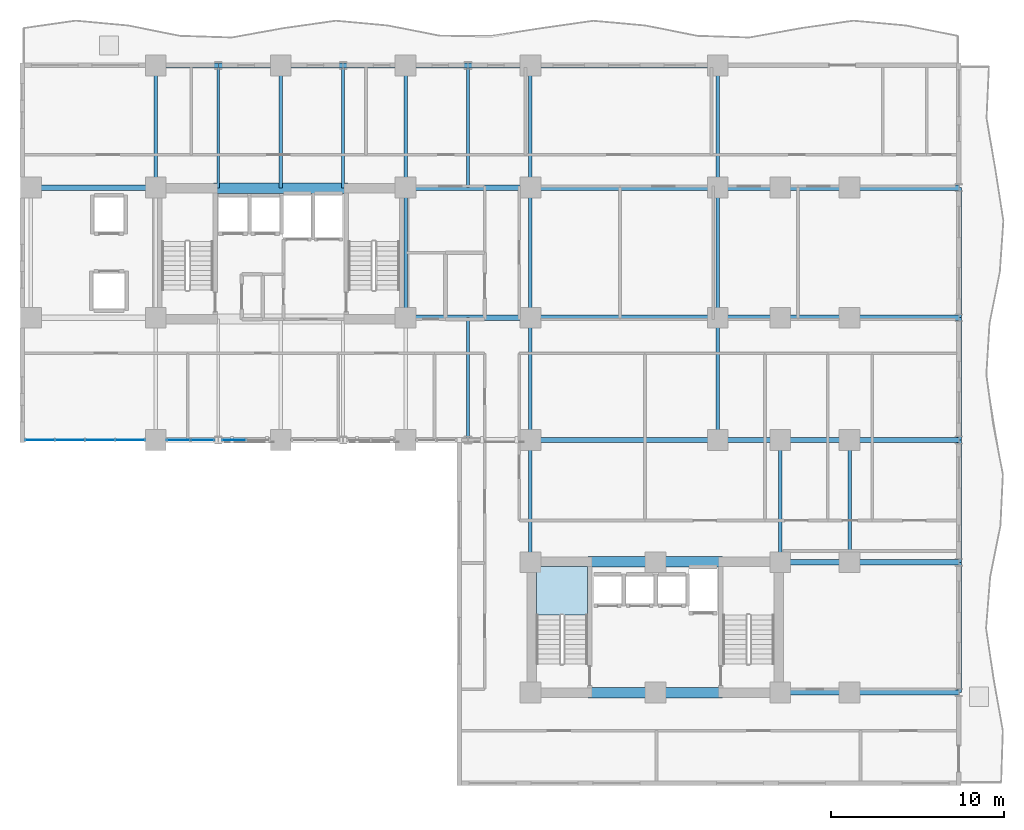
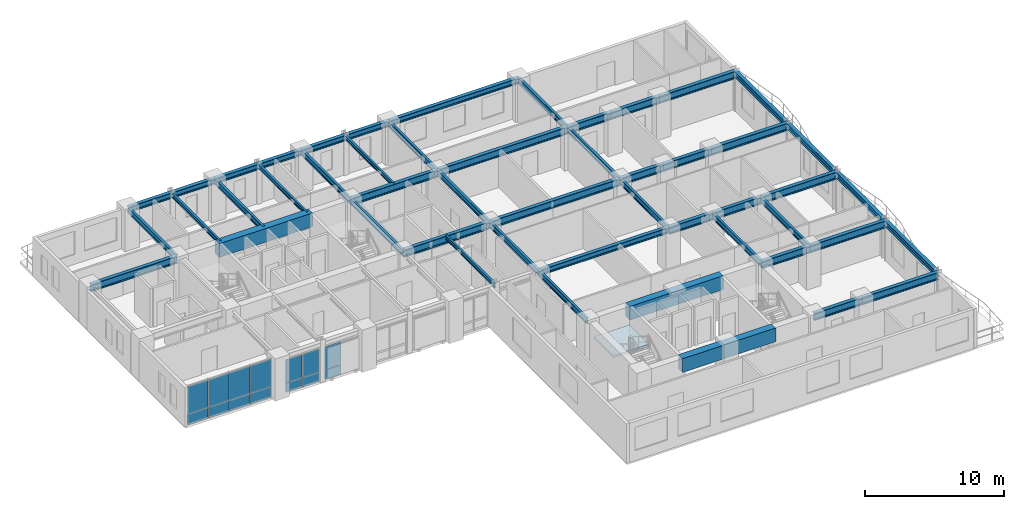
# One storey, part 6 of 16: 50 beams, 14 plates, 1 slab, 4 elements without a shape of their own.
"""IFC4 building model written with IfcOpenShell, lengths in metres."""

from ifc_helpers import new_model, si_unit, direction, frame, origin, origin_2d, place, context, subcontext, project, spatial, polyline, rectangle, i_section, outline, extrude, source, transform, mapped, material, layer, layer_set, material_profile, profile_set, type_object, element, aggregate, save


model = new_model("IFC4")

# Units and contexts
model_context = context("Model", 3, precision=1e-05, world=origin(), true_north=direction((0.0, 1.0)))
body_context = subcontext(model_context, "Body", "Model", "MODEL_VIEW")
ifc_project = project(units=[si_unit("LENGTHUNIT", "METRE"), si_unit("AREAUNIT", "SQUARE_METRE"), si_unit("VOLUMEUNIT", "CUBIC_METRE"), si_unit("PLANEANGLEUNIT", "RADIAN"), si_unit("MASSUNIT", "GRAM", prefix="KILO")], contexts=[model_context])

# Site, building, storey
site_placement = place(None, origin())
site = spatial("IfcSite", under=ifc_project, at=site_placement, CompositionType="ELEMENT")
building_placement = place(site_placement, origin())
building = spatial("IfcBuilding", under=site, at=building_placement, Name="Kaliganga Portal Commons", CompositionType="ELEMENT")
storey_placement = place(building_placement, frame((0.0, 0.0, 82.300048828125)))
storey = spatial("IfcBuildingStorey", under=building, at=storey_placement, Name="L20", CompositionType="ELEMENT", Elevation=82.300048828125)

# Beams
ifc_material_1 = material(Name="Concrete C60/75", Category="concrete")
ifc_material_profile_1 = material_profile(ifc_material_1, rectangle(XDim=0.60009765625, YDim=1.199951171875, at=origin_2d()), Name="RC 600x1200")
ifc_profile_set_1 = profile_set([ifc_material_profile_1], Name="Concrete C60/75")
beam_type_1 = type_object("IfcBeamType", Name="BM-CPL-1200", PredefinedType="LINTEL", material=ifc_profile_set_1)
shared_shape_1 = source(origin(), body_context, "Body", "SweptSolid", [
    extrude(rectangle(XDim=0.60009765625, YDim=1.199951171875, at=origin_2d()), origin(), (0.0, 0.0, 1.0), 7.739990234375),
])
for number, where, z_axis, x_axis, name in (
    (1, (17.72998046875, 36.125, 2.849853515625), (1.0, 0.0, 0.0), (0.0, 1.0, 0.0), "BM CPL COREA L20 N"),
    (2, (39.330078125, 7.02490234375, 2.849853515625), (1.0, 0.0, 0.0), (0.0, 1.0, 0.0), "BM CPL COREB L20 S"),
    (3, (39.330078125, 14.574951171875, 2.849853515625), (1.0, 0.0, 0.0), (0.0, 1.0, 0.0), "BM CPL COREB L20 N"),
):
    element("IfcBeam", number, at=place(storey_placement, frame(where, z_axis=z_axis, x_axis=x_axis)), inside=storey, type_object=beam_type_1, Name=name, PredefinedType="LINTEL", context=body_context, shape_type="MappedRepresentation", body=[
        mapped(shared_shape_1, transform((0.0, 0.0, 0.0), x_axis=(1.0, 0.0, 0.0), y_axis=(0.0, 1.0, 0.0), z_axis=(0.0, 0.0, 1.0), scale=1.0)),
    ])
ifc_material_2 = material(Name="Structural steel S355J2", Category="steel")
ifc_material_profile_2 = material_profile(ifc_material_2, i_section(OverallWidth=0.300048828125, OverallDepth=0.5, WebThickness=0.014404296875, FlangeThickness=0.028076171875, FilletRadius=0.027099609375, at=origin_2d()), Name="HE 500 B")
ifc_profile_set_2 = profile_set([ifc_material_profile_2], Name="Structural steel S355J2 wide-flange")
beam_type_2 = type_object("IfcBeamType", Name="BM-SPAND-500", PredefinedType="SPANDREL", material=ifc_profile_set_2)
shared_shape_2 = source(origin(), body_context, "Body", "SweptSolid", [
    extrude(i_section(OverallWidth=0.300048828125, OverallDepth=0.5, WebThickness=0.014404296875, FlangeThickness=0.028076171875, FilletRadius=0.027099609375, at=origin_2d()), origin(), (0.0, 0.0, 1.0), 10.800048828125),
])
for number, where, z_axis, x_axis, name in (
    (4, (36.0, 43.199951171875, 3.199951171875), (1.0, 0.0, 0.0), (0.0, 1.0, 0.0), "BM SP L20 AN 7"),
    (5, (36.0, 21.60009765625, 3.199951171875), (1.0, 0.0, 0.0), (0.0, 1.0, 0.0), "BM SP L20 AS 7"),
):
    element("IfcBeam", number, at=place(storey_placement, frame(where, z_axis=z_axis, x_axis=x_axis)), inside=storey, type_object=beam_type_2, Name=name, PredefinedType="SPANDREL", context=body_context, shape_type="MappedRepresentation", body=[
        mapped(shared_shape_2, transform((0.0, 0.0, 0.0), x_axis=(1.0, 0.0, 0.0), y_axis=(0.0, 1.0, 0.0), z_axis=(0.0, 0.0, 1.0), scale=1.0)),
    ])
shared_shape_3 = source(origin(), body_context, "Body", "SweptSolid", [
    extrude(i_section(OverallWidth=0.300048828125, OverallDepth=0.5, WebThickness=0.014404296875, FlangeThickness=0.028076171875, FilletRadius=0.027099609375, at=origin_2d()), origin(), (0.0, 0.0, 1.0), 7.5),
])
for number, where, z_axis, x_axis, name in (
    (6, (60.699951171875, 7.050048828125, 3.199951171875), (0.0, 1.0, 0.0), (-1.0, 0.0, 0.0), "BM SP L20 BE 1"),
    (7, (60.699951171875, 28.64990234375, 3.199951171875), (0.0, 1.0, 0.0), (-1.0, 0.0, 0.0), "BM SP L20 BE 4"),
):
    element("IfcBeam", number, at=place(storey_placement, frame(where, z_axis=z_axis, x_axis=x_axis)), inside=storey, type_object=beam_type_2, Name=name, PredefinedType="SPANDREL", context=body_context, shape_type="MappedRepresentation", body=[
        mapped(shared_shape_3, transform((0.0, 0.0, 0.0), x_axis=(1.0, 0.0, 0.0), y_axis=(0.0, 1.0, 0.0), z_axis=(0.0, 0.0, 1.0), scale=1.0)),
    ])
shared_shape_4 = source(origin(), body_context, "Body", "SweptSolid", [
    extrude(i_section(OverallWidth=0.300048828125, OverallDepth=0.5, WebThickness=0.014404296875, FlangeThickness=0.028076171875, FilletRadius=0.027099609375, at=origin_2d()), origin(), (0.0, 0.0, 1.0), 7.050048828125),
])
beam_1_placement = place(storey_placement, frame((60.699951171875, 14.550048828125, 3.199951171875), z_axis=(0.0, 1.0, 0.0), x_axis=(-1.0, 0.0, 0.0)))
element("IfcBeam", 8, at=beam_1_placement, inside=storey, type_object=beam_type_2, Name="BM SP L20 BE 2", PredefinedType="SPANDREL", context=body_context, shape_type="MappedRepresentation", body=[
    mapped(shared_shape_4, transform((0.0, 0.0, 0.0), x_axis=(1.0, 0.0, 0.0), y_axis=(0.0, 1.0, 0.0), z_axis=(0.0, 0.0, 1.0), scale=1.0)),
])
shared_shape_5 = source(origin(), body_context, "Body", "SweptSolid", [
    extrude(i_section(OverallWidth=0.300048828125, OverallDepth=0.5, WebThickness=0.014404296875, FlangeThickness=0.028076171875, FilletRadius=0.027099609375, at=origin_2d()), origin(), (0.0, 0.0, 1.0), 7.0498046875),
])
beam_2_placement = place(storey_placement, frame((60.699951171875, 21.60009765625, 3.199951171875), z_axis=(0.0, 1.0, 0.0), x_axis=(-1.0, 0.0, 0.0)))
element("IfcBeam", 9, at=beam_2_placement, inside=storey, type_object=beam_type_2, Name="BM SP L20 BE 3", PredefinedType="SPANDREL", context=body_context, shape_type="MappedRepresentation", body=[
    mapped(shared_shape_5, transform((0.0, 0.0, 0.0), x_axis=(1.0, 0.0, 0.0), y_axis=(0.0, 1.0, 0.0), z_axis=(0.0, 0.0, 1.0), scale=1.0)),
])
shared_shape_6 = source(origin(), body_context, "Body", "SweptSolid", [
    extrude(i_section(OverallWidth=0.300048828125, OverallDepth=0.5, WebThickness=0.014404296875, FlangeThickness=0.028076171875, FilletRadius=0.027099609375, at=origin_2d()), origin(), (0.0, 0.0, 1.0), 3.60009765625),
])
for number, where, z_axis, x_axis, name in (
    (10, (14.39990234375, 43.199951171875, 3.199951171875), (1.0, 0.0, 0.0), (0.0, 1.0, 0.0), "BM SP L20 AN 1"),
    (11, (18.0, 43.199951171875, 3.199951171875), (1.0, 0.0, 0.0), (0.0, 1.0, 0.0), "BM SP L20 AN 2"),
    (12, (25.199951171875, 43.199951171875, 3.199951171875), (1.0, 0.0, 0.0), (0.0, 1.0, 0.0), "BM SP L20 AN 4"),
    (13, (32.39990234375, 43.199951171875, 3.199951171875), (1.0, 0.0, 0.0), (0.0, 1.0, 0.0), "BM SP L20 AN 6"),
):
    element("IfcBeam", number, at=place(storey_placement, frame(where, z_axis=z_axis, x_axis=x_axis)), inside=storey, type_object=beam_type_2, Name=name, PredefinedType="SPANDREL", context=body_context, shape_type="MappedRepresentation", body=[
        mapped(shared_shape_6, transform((0.0, 0.0, 0.0), x_axis=(1.0, 0.0, 0.0), y_axis=(0.0, 1.0, 0.0), z_axis=(0.0, 0.0, 1.0), scale=1.0)),
    ])
shared_shape_7 = source(origin(), body_context, "Body", "SweptSolid", [
    extrude(i_section(OverallWidth=0.300048828125, OverallDepth=0.5, WebThickness=0.014404296875, FlangeThickness=0.028076171875, FilletRadius=0.027099609375, at=origin_2d()), origin(), (0.0, 0.0, 1.0), 3.599853515625),
])
for number, where, z_axis, x_axis, name in (
    (14, (21.60009765625, 43.199951171875, 3.199951171875), (1.0, 0.0, 0.0), (0.0, 1.0, 0.0), "BM SP L20 AN 3"),
    (15, (28.800048828125, 43.199951171875, 3.199951171875), (1.0, 0.0, 0.0), (0.0, 1.0, 0.0), "BM SP L20 AN 5"),
):
    element("IfcBeam", number, at=place(storey_placement, frame(where, z_axis=z_axis, x_axis=x_axis)), inside=storey, type_object=beam_type_2, Name=name, PredefinedType="SPANDREL", context=body_context, shape_type="MappedRepresentation", body=[
        mapped(shared_shape_7, transform((0.0, 0.0, 0.0), x_axis=(1.0, 0.0, 0.0), y_axis=(0.0, 1.0, 0.0), z_axis=(0.0, 0.0, 1.0), scale=1.0)),
    ])
ifc_material_profile_3 = material_profile(ifc_material_2, i_section(OverallWidth=0.300048828125, OverallDepth=0.64990234375, WebThickness=0.01611328125, FlangeThickness=0.031005859375, FilletRadius=0.027099609375, at=origin_2d()), Name="HE 650 B")
ifc_profile_set_3 = profile_set([ifc_material_profile_3], Name="Structural steel S355J2 wide-flange")
beam_type_3 = type_object("IfcBeamType", Name="BM-GIRD-650", PredefinedType="USERDEFINED", material=ifc_profile_set_3)
shared_shape_8 = source(origin(), body_context, "Body", "SweptSolid", [
    extrude(i_section(OverallWidth=0.300048828125, OverallDepth=0.64990234375, WebThickness=0.01611328125, FlangeThickness=0.031005859375, FilletRadius=0.027099609375, at=origin_2d()), origin(), (0.0, 0.0, 1.0), 3.599853515625),
])
for number, where, z_axis, x_axis, name in (
    (16, (46.800048828125, 21.60009765625, 3.125), (1.0, 0.0, 0.0), (0.0, 1.0, 0.0), "BM G L20 BKE216 1"),
    (17, (46.800048828125, 28.64990234375, 3.125), (1.0, 0.0, 0.0), (0.0, 1.0, 0.0), "BM G L20 BKE286 1"),
    (18, (46.800048828125, 36.14990234375, 3.125), (1.0, 0.0, 0.0), (0.0, 1.0, 0.0), "BM G L20 BKE362 1"),
):
    element("IfcBeam", number, at=place(storey_placement, frame(where, z_axis=z_axis, x_axis=x_axis)), inside=storey, type_object=beam_type_3, Name=name, ObjectType="GIRDER", PredefinedType="USERDEFINED", context=body_context, shape_type="MappedRepresentation", body=[
        mapped(shared_shape_8, transform((0.0, 0.0, 0.0), x_axis=(1.0, 0.0, 0.0), y_axis=(0.0, 1.0, 0.0), z_axis=(0.0, 0.0, 1.0), scale=1.0)),
    ])
shared_shape_9 = source(origin(), body_context, "Body", "SweptSolid", [
    extrude(i_section(OverallWidth=0.300048828125, OverallDepth=0.64990234375, WebThickness=0.01611328125, FlangeThickness=0.031005859375, FilletRadius=0.027099609375, at=origin_2d()), origin(), (0.0, 0.0, 1.0), 7.199951171875),
])
for number, where, z_axis, x_axis, name in (
    (19, (7.199951171875, 36.14990234375, 3.125), (1.0, 0.0, 0.0), (0.0, 1.0, 0.0), "BM G L20 WAH_N 1"),
    (20, (28.800048828125, 28.64990234375, 3.125), (1.0, 0.0, 0.0), (0.0, 1.0, 0.0), "BM G L20 WAE_S 1"),
    (21, (28.800048828125, 36.14990234375, 3.125), (1.0, 0.0, 0.0), (0.0, 1.0, 0.0), "BM G L20 WAE_N 1"),
):
    element("IfcBeam", number, at=place(storey_placement, frame(where, z_axis=z_axis, x_axis=x_axis)), inside=storey, type_object=beam_type_3, Name=name, ObjectType="GIRDER", PredefinedType="USERDEFINED", context=body_context, shape_type="MappedRepresentation", body=[
        mapped(shared_shape_9, transform((0.0, 0.0, 0.0), x_axis=(1.0, 0.0, 0.0), y_axis=(0.0, 1.0, 0.0), z_axis=(0.0, 0.0, 1.0), scale=1.0)),
    ])
shared_shape_10 = source(origin(), body_context, "Body", "SweptSolid", [
    extrude(i_section(OverallWidth=0.300048828125, OverallDepth=0.64990234375, WebThickness=0.01611328125, FlangeThickness=0.031005859375, FilletRadius=0.027099609375, at=origin_2d()), origin(), (0.0, 0.0, 1.0), 10.800048828125),
])
for number, where, z_axis, x_axis, name in (
    (22, (36.0, 28.64990234375, 3.125), (1.0, 0.0, 0.0), (0.0, 1.0, 0.0), "BM G L20 WAE_S 2"),
    (23, (36.0, 36.14990234375, 3.125), (1.0, 0.0, 0.0), (0.0, 1.0, 0.0), "BM G L20 WAE_N 2"),
):
    element("IfcBeam", number, at=place(storey_placement, frame(where, z_axis=z_axis, x_axis=x_axis)), inside=storey, type_object=beam_type_3, Name=name, ObjectType="GIRDER", PredefinedType="USERDEFINED", context=body_context, shape_type="MappedRepresentation", body=[
        mapped(shared_shape_10, transform((0.0, 0.0, 0.0), x_axis=(1.0, 0.0, 0.0), y_axis=(0.0, 1.0, 0.0), z_axis=(0.0, 0.0, 1.0), scale=1.0)),
    ])
ifc_material_profile_4 = material_profile(ifc_material_2, i_section(OverallWidth=0.169921875, OverallDepth=0.360107421875, WebThickness=0.008056640625, FlangeThickness=0.0126953125, FilletRadius=0.01806640625, at=origin_2d()), Name="IPE 360")
ifc_profile_set_4 = profile_set([ifc_material_profile_4], Name="Structural steel S355J2 wide-flange")
beam_type_4 = type_object("IfcBeamType", Name="BM-JST-360", PredefinedType="JOIST", material=ifc_profile_set_4)
shared_shape_11 = source(origin(), body_context, "Body", "SweptSolid", [
    extrude(i_section(OverallWidth=0.169921875, OverallDepth=0.360107421875, WebThickness=0.008056640625, FlangeThickness=0.0126953125, FilletRadius=0.01806640625, at=origin_2d()), origin(), (0.0, 0.0, 1.0), 7.074951171875),
])
for number, where, z_axis, x_axis, name in (
    (24, (18.0, 36.125, 3.27001953125), (0.0, 1.0, 0.0), (-1.0, 0.0, 0.0), "BM G L20 AN180"),
    (25, (25.199951171875, 36.125, 3.27001953125), (0.0, 1.0, 0.0), (-1.0, 0.0, 0.0), "BM G L20 AN252"),
):
    element("IfcBeam", number, at=place(storey_placement, frame(where, z_axis=z_axis, x_axis=x_axis)), inside=storey, type_object=beam_type_4, Name=name, PredefinedType="JOIST", context=body_context, shape_type="MappedRepresentation", body=[
        mapped(shared_shape_11, transform((0.0, 0.0, 0.0), x_axis=(1.0, 0.0, 0.0), y_axis=(0.0, 1.0, 0.0), z_axis=(0.0, 0.0, 1.0), scale=1.0)),
    ])
shared_shape_12 = source(origin(), body_context, "Body", "SweptSolid", [
    extrude(i_section(OverallWidth=0.169921875, OverallDepth=0.360107421875, WebThickness=0.008056640625, FlangeThickness=0.0126953125, FilletRadius=0.01806640625, at=origin_2d()), origin(), (0.0, 0.0, 1.0), 7.050048828125),
])
beam_3_placement = place(storey_placement, frame((32.39990234375, 36.14990234375, 3.27001953125), z_axis=(0.0, 1.0, 0.0), x_axis=(-1.0, 0.0, 0.0)))
element("IfcBeam", 26, at=beam_3_placement, inside=storey, type_object=beam_type_4, Name="BM G L20 AN324", PredefinedType="JOIST", context=body_context, shape_type="MappedRepresentation", body=[
    mapped(shared_shape_12, transform((0.0, 0.0, 0.0), x_axis=(1.0, 0.0, 0.0), y_axis=(0.0, 1.0, 0.0), z_axis=(0.0, 0.0, 1.0), scale=1.0)),
])
shared_shape_13 = source(origin(), body_context, "Body", "SweptSolid", [
    extrude(i_section(OverallWidth=0.169921875, OverallDepth=0.360107421875, WebThickness=0.008056640625, FlangeThickness=0.0126953125, FilletRadius=0.01806640625, at=origin_2d()), origin(), (0.0, 0.0, 1.0), 7.0498046875),
])
beam_4_placement = place(storey_placement, frame((32.39990234375, 21.60009765625, 3.27001953125), z_axis=(0.0, 1.0, 0.0), x_axis=(-1.0, 0.0, 0.0)))
element("IfcBeam", 27, at=beam_4_placement, inside=storey, type_object=beam_type_4, Name="BM G L20 AS324", PredefinedType="JOIST", context=body_context, shape_type="MappedRepresentation", body=[
    mapped(shared_shape_13, transform((0.0, 0.0, 0.0), x_axis=(1.0, 0.0, 0.0), y_axis=(0.0, 1.0, 0.0), z_axis=(0.0, 0.0, 1.0), scale=1.0)),
])
shared_shape_14 = source(origin(), body_context, "Body", "SweptSolid", [
    extrude(i_section(OverallWidth=0.300048828125, OverallDepth=0.64990234375, WebThickness=0.01611328125, FlangeThickness=0.031005859375, FilletRadius=0.027099609375, at=origin_2d()), origin(), (0.0, 0.0, 1.0), 4.0),
])
for number, where, z_axis, x_axis, name in (
    (28, (50.39990234375, 7.050048828125, 3.125), (1.0, 0.0, 0.0), (0.0, 1.0, 0.0), "BM G L20 BKE70 1"),
    (29, (50.39990234375, 14.550048828125, 3.125), (1.0, 0.0, 0.0), (0.0, 1.0, 0.0), "BM G L20 BKE146 1"),
    (30, (50.39990234375, 21.60009765625, 3.125), (1.0, 0.0, 0.0), (0.0, 1.0, 0.0), "BM G L20 BKE216 2"),
    (31, (50.39990234375, 28.64990234375, 3.125), (1.0, 0.0, 0.0), (0.0, 1.0, 0.0), "BM G L20 BKE286 2"),
    (32, (50.39990234375, 36.14990234375, 3.125), (1.0, 0.0, 0.0), (0.0, 1.0, 0.0), "BM G L20 BKE362 2"),
):
    element("IfcBeam", number, at=place(storey_placement, frame(where, z_axis=z_axis, x_axis=x_axis)), inside=storey, type_object=beam_type_3, Name=name, ObjectType="GIRDER", PredefinedType="USERDEFINED", context=body_context, shape_type="MappedRepresentation", body=[
        mapped(shared_shape_14, transform((0.0, 0.0, 0.0), x_axis=(1.0, 0.0, 0.0), y_axis=(0.0, 1.0, 0.0), z_axis=(0.0, 0.0, 1.0), scale=1.0)),
    ])
ifc_material_profile_5 = material_profile(ifc_material_2, i_section(OverallWidth=0.199951171875, OverallDepth=0.5, WebThickness=0.01025390625, FlangeThickness=0.01611328125, FilletRadius=0.02099609375, at=origin_2d()), Name="IPE 500")
ifc_profile_set_5 = profile_set([ifc_material_profile_5], Name="Structural steel S355J2 wide-flange")
beam_type_5 = type_object("IfcBeamType", Name="BM-FLR-500", PredefinedType="BEAM", material=ifc_profile_set_5)
shared_shape_15 = source(origin(), body_context, "Body", "SweptSolid", [
    extrude(i_section(OverallWidth=0.199951171875, OverallDepth=0.5, WebThickness=0.01025390625, FlangeThickness=0.01611328125, FilletRadius=0.02099609375, at=origin_2d()), origin(), (0.0, 0.0, 1.0), 7.5),
])
for number, where, z_axis, x_axis, name in (
    (33, (28.800048828125, 28.64990234375, 3.199951171875), (0.0, 1.0, 0.0), (-1.0, 0.0, 0.0), "BM G L20 AM288"),
    (34, (36.0, 28.64990234375, 3.199951171875), (0.0, 1.0, 0.0), (-1.0, 0.0, 0.0), "BM G L20 AM360"),
    (35, (46.800048828125, 28.64990234375, 3.199951171875), (0.0, 1.0, 0.0), (-1.0, 0.0, 0.0), "BM G L20 AM468"),
):
    element("IfcBeam", number, at=place(storey_placement, frame(where, z_axis=z_axis, x_axis=x_axis)), inside=storey, type_object=beam_type_5, Name=name, PredefinedType="BEAM", context=body_context, shape_type="MappedRepresentation", body=[
        mapped(shared_shape_15, transform((0.0, 0.0, 0.0), x_axis=(1.0, 0.0, 0.0), y_axis=(0.0, 1.0, 0.0), z_axis=(0.0, 0.0, 1.0), scale=1.0)),
    ])
shared_shape_16 = source(origin(), body_context, "Body", "SweptSolid", [
    extrude(i_section(OverallWidth=0.199951171875, OverallDepth=0.5, WebThickness=0.01025390625, FlangeThickness=0.01611328125, FilletRadius=0.02099609375, at=origin_2d()), origin(), (0.0, 0.0, 1.0), 7.050048828125),
])
for number, where, z_axis, x_axis, name in (
    (36, (14.39990234375, 36.14990234375, 3.199951171875), (0.0, 1.0, 0.0), (-1.0, 0.0, 0.0), "BM G L20 AN144"),
    (37, (28.800048828125, 36.14990234375, 3.199951171875), (0.0, 1.0, 0.0), (-1.0, 0.0, 0.0), "BM G L20 AN288"),
    (38, (36.0, 36.14990234375, 3.199951171875), (0.0, 1.0, 0.0), (-1.0, 0.0, 0.0), "BM G L20 AN360"),
    (39, (46.800048828125, 36.14990234375, 3.199951171875), (0.0, 1.0, 0.0), (-1.0, 0.0, 0.0), "BM G L20 AN468"),
    (40, (36.0, 14.550048828125, 3.199951171875), (0.0, 1.0, 0.0), (-1.0, 0.0, 0.0), "BM G L20 BNK360"),
    (41, (50.39990234375, 14.550048828125, 3.199951171875), (0.0, 1.0, 0.0), (-1.0, 0.0, 0.0), "BM G L20 BNK504"),
    (42, (54.39990234375, 14.550048828125, 3.199951171875), (0.0, 1.0, 0.0), (-1.0, 0.0, 0.0), "BM G L20 BNK544"),
):
    element("IfcBeam", number, at=place(storey_placement, frame(where, z_axis=z_axis, x_axis=x_axis)), inside=storey, type_object=beam_type_5, Name=name, PredefinedType="BEAM", context=body_context, shape_type="MappedRepresentation", body=[
        mapped(shared_shape_16, transform((0.0, 0.0, 0.0), x_axis=(1.0, 0.0, 0.0), y_axis=(0.0, 1.0, 0.0), z_axis=(0.0, 0.0, 1.0), scale=1.0)),
    ])
shared_shape_17 = source(origin(), body_context, "Body", "SweptSolid", [
    extrude(i_section(OverallWidth=0.199951171875, OverallDepth=0.5, WebThickness=0.01025390625, FlangeThickness=0.01611328125, FilletRadius=0.02099609375, at=origin_2d()), origin(), (0.0, 0.0, 1.0), 7.0498046875),
])
for number, where, z_axis, x_axis, name in (
    (43, (36.0, 21.60009765625, 3.199951171875), (0.0, 1.0, 0.0), (-1.0, 0.0, 0.0), "BM G L20 AS360"),
    (44, (46.800048828125, 21.60009765625, 3.199951171875), (0.0, 1.0, 0.0), (-1.0, 0.0, 0.0), "BM G L20 AS468"),
):
    element("IfcBeam", number, at=place(storey_placement, frame(where, z_axis=z_axis, x_axis=x_axis)), inside=storey, type_object=beam_type_5, Name=name, PredefinedType="BEAM", context=body_context, shape_type="MappedRepresentation", body=[
        mapped(shared_shape_17, transform((0.0, 0.0, 0.0), x_axis=(1.0, 0.0, 0.0), y_axis=(0.0, 1.0, 0.0), z_axis=(0.0, 0.0, 1.0), scale=1.0)),
    ])
shared_shape_18 = source(origin(), body_context, "Body", "SweptSolid", [
    extrude(i_section(OverallWidth=0.199951171875, OverallDepth=0.5, WebThickness=0.01025390625, FlangeThickness=0.01611328125, FilletRadius=0.02099609375, at=origin_2d()), origin(), (0.0, 0.0, 1.0), 7.074951171875),
])
beam_5_placement = place(storey_placement, frame((21.60009765625, 36.125, 3.199951171875), z_axis=(0.0, 1.0, 0.0), x_axis=(-1.0, 0.0, 0.0)))
element("IfcBeam", 45, at=beam_5_placement, inside=storey, type_object=beam_type_5, Name="BM G L20 AN216", PredefinedType="BEAM", context=body_context, shape_type="MappedRepresentation", body=[
    mapped(shared_shape_18, transform((0.0, 0.0, 0.0), x_axis=(1.0, 0.0, 0.0), y_axis=(0.0, 1.0, 0.0), z_axis=(0.0, 0.0, 1.0), scale=1.0)),
])
shared_shape_19 = source(origin(), body_context, "Body", "SweptSolid", [
    extrude(i_section(OverallWidth=0.300048828125, OverallDepth=0.64990234375, WebThickness=0.01611328125, FlangeThickness=0.031005859375, FilletRadius=0.027099609375, at=origin_2d()), origin(), (0.0, 0.0, 1.0), 6.300048828125),
])
for number, where, z_axis, x_axis, name in (
    (46, (54.39990234375, 7.050048828125, 3.125), (1.0, 0.0, 0.0), (0.0, 1.0, 0.0), "BM G L20 BKE70 2"),
    (47, (54.39990234375, 14.550048828125, 3.125), (1.0, 0.0, 0.0), (0.0, 1.0, 0.0), "BM G L20 BKE146 2"),
    (48, (54.39990234375, 21.60009765625, 3.125), (1.0, 0.0, 0.0), (0.0, 1.0, 0.0), "BM G L20 BKE216 3"),
    (49, (54.39990234375, 28.64990234375, 3.125), (1.0, 0.0, 0.0), (0.0, 1.0, 0.0), "BM G L20 BKE286 3"),
    (50, (54.39990234375, 36.14990234375, 3.125), (1.0, 0.0, 0.0), (0.0, 1.0, 0.0), "BM G L20 BKE362 3"),
):
    element("IfcBeam", number, at=place(storey_placement, frame(where, z_axis=z_axis, x_axis=x_axis)), inside=storey, type_object=beam_type_3, Name=name, ObjectType="GIRDER", PredefinedType="USERDEFINED", context=body_context, shape_type="MappedRepresentation", body=[
        mapped(shared_shape_19, transform((0.0, 0.0, 0.0), x_axis=(1.0, 0.0, 0.0), y_axis=(0.0, 1.0, 0.0), z_axis=(0.0, 0.0, 1.0), scale=1.0)),
    ])

# Stair, slab
ifc_material_3 = material(Name="Concrete C40/50", Category="concrete")
stair_type = type_object("IfcStairType", Name="ST-CORE-DOGLEG", PredefinedType="HALF_TURN_STAIR", material=ifc_material_3)
stair_placement = place(storey_placement, origin())
stair = element("IfcStair", 51, at=stair_placement, inside=storey, type_object=stair_type, Name="L20 Protected Exit Stair ST-B1", PredefinedType="HALF_TURN_STAIR")
ifc_layer_1 = layer(ifc_material_3, 0.199951171875)
ifc_layer_set_1 = layer_set([ifc_layer_1], Name="Concrete C40/50")
slab_type = type_object("IfcSlabType", Name="SLB-STAIR-LND", PredefinedType="LANDING", material=ifc_layer_set_1)
slab_placement = place(storey_placement, frame((0.0, 0.0, 1.64990234375)))
slab = element("IfcSlab", 52, at=slab_placement, type_object=slab_type, Name="ST-B1 landing 1", PredefinedType="LANDING", context=body_context, shape_type="SweptSolid", body=[
    extrude(outline(polyline([(39.300048828125, 11.5), (39.300048828125, 14.300048828125), (36.35009765625, 14.300048828125), (36.35009765625, 11.5), (39.300048828125, 11.5)])), origin(), (0.0, 0.0, 1.0), 0.199951171875),
])
aggregate(stair, [slab])

# Curtain wall, plates
ifc_material_4 = material(Name="Anodized Aluminium and Laminated Low-E Glass", Category="aluminium")
ifc_layer_2 = layer(ifc_material_4, 0.2099609375)
ifc_layer_set_2 = layer_set([ifc_layer_2], Name="Anodized Aluminium and Laminated Low-E Glass")
curtain_wall_type = type_object("IfcCurtainWallType", Name="CW-SYS-03", PredefinedType="NOTDEFINED", material=ifc_layer_set_2)
curtain_wall_1_placement = place(storey_placement, origin())
curtain_wall_1 = element("IfcCurtainWall", 53, at=curtain_wall_1_placement, inside=storey, type_object=curtain_wall_type, Name="CW 03 L20 P1E04S1", PredefinedType="NOTDEFINED")
ifc_material_5 = material(Name="Insulated Dark Spandrel Panel", Category="metal")
ifc_layer_3 = layer(ifc_material_5, 0.044921875)
ifc_layer_set_3 = layer_set([ifc_layer_3], Name="Insulated Dark Spandrel Panel")
plate_type_1 = type_object("IfcPlateType", Name="PLT-SPN-45", PredefinedType="SHEET", material=ifc_layer_set_3)
shared_shape_20 = source(origin(), body_context, "Body", "SweptSolid", [
    extrude(rectangle(XDim=1.69970703125, YDim=0.044921875, at=origin_2d()), origin(), (0.0, 0.0, 1.0), 0.929931640625),
])
plate_1_placement = place(storey_placement, frame((7.7099609375, 21.60009765625, 0.009765625), z_axis=(0.0, 0.0, 1.0), x_axis=(1.0, 0.0, 0.0)))
plate_1 = element("IfcPlate", 54, at=plate_1_placement, type_object=plate_type_1, Name="CW:03:L20:P1E04S1 Spandrel 00", PredefinedType="SHEET", context=body_context, shape_type="MappedRepresentation", body=[
    mapped(shared_shape_20, transform((0.0, 0.0, 0.0), x_axis=(1.0, 0.0, 0.0), y_axis=(0.0, 1.0, 0.0), z_axis=(0.0, 0.0, 1.0), scale=1.0)),
])
plate_2_placement = place(storey_placement, frame((9.44970703125, 21.60009765625, 0.009765625), z_axis=(0.0, 0.0, 1.0), x_axis=(1.0, 0.0, 0.0)))
plate_2 = element("IfcPlate", 55, at=plate_2_placement, type_object=plate_type_1, Name="CW:03:L20:P1E04S1 Spandrel 01", PredefinedType="SHEET", context=body_context, shape_type="MappedRepresentation", body=[
    mapped(shared_shape_20, transform((0.0, 0.0, 0.0), x_axis=(1.0, 0.0, 0.0), y_axis=(0.0, 1.0, 0.0), z_axis=(0.0, 0.0, 1.0), scale=1.0)),
])
plate_3_placement = place(storey_placement, frame((11.189453125, 21.60009765625, 0.009765625), z_axis=(0.0, 0.0, 1.0), x_axis=(1.0, 0.0, 0.0)))
plate_3 = element("IfcPlate", 56, at=plate_3_placement, type_object=plate_type_1, Name="CW:03:L20:P1E04S1 Spandrel 02", PredefinedType="SHEET", context=body_context, shape_type="MappedRepresentation", body=[
    mapped(shared_shape_20, transform((0.0, 0.0, 0.0), x_axis=(1.0, 0.0, 0.0), y_axis=(0.0, 1.0, 0.0), z_axis=(0.0, 0.0, 1.0), scale=1.0)),
])
plate_4_placement = place(storey_placement, frame((12.92919921875, 21.60009765625, 0.009765625), z_axis=(0.0, 0.0, 1.0), x_axis=(1.0, 0.0, 0.0)))
plate_4 = element("IfcPlate", 57, at=plate_4_placement, type_object=plate_type_1, Name="CW:03:L20:P1E04S1 Spandrel 03", PredefinedType="SHEET", context=body_context, shape_type="MappedRepresentation", body=[
    mapped(shared_shape_20, transform((0.0, 0.0, 0.0), x_axis=(1.0, 0.0, 0.0), y_axis=(0.0, 1.0, 0.0), z_axis=(0.0, 0.0, 1.0), scale=1.0)),
])
ifc_material_6 = material(Name="Dark Solar-Control Laminated Low-E IGU", Category="glass")
ifc_layer_4 = layer(ifc_material_6, 0.028076171875)
ifc_layer_set_4 = layer_set([ifc_layer_4], Name="Dark Solar-Control Laminated Low-E IGU")
plate_type_2 = type_object("IfcPlateType", Name="PLT-GLZ-28", PredefinedType="CURTAIN_PANEL", material=ifc_layer_set_4)
shared_shape_21 = source(origin(), body_context, "Body", "SweptSolid", [
    extrude(rectangle(XDim=1.69970703125, YDim=0.028076171875, at=origin_2d()), origin(), (0.0, 0.0, 1.0), 2.39990234375),
])
plate_5_placement = place(storey_placement, frame((7.7099609375, 21.60009765625, 0.9599609375), z_axis=(0.0, 0.0, 1.0), x_axis=(1.0, 0.0, 0.0)))
plate_5 = element("IfcPlate", 58, at=plate_5_placement, type_object=plate_type_2, Name="CW:03:L20:P1E04S1 Vision IGU 00", PredefinedType="CURTAIN_PANEL", context=body_context, shape_type="MappedRepresentation", body=[
    mapped(shared_shape_21, transform((0.0, 0.0, 0.0), x_axis=(1.0, 0.0, 0.0), y_axis=(0.0, 1.0, 0.0), z_axis=(0.0, 0.0, 1.0), scale=1.0)),
])
plate_6_placement = place(storey_placement, frame((9.44970703125, 21.60009765625, 0.9599609375), z_axis=(0.0, 0.0, 1.0), x_axis=(1.0, 0.0, 0.0)))
plate_6 = element("IfcPlate", 59, at=plate_6_placement, type_object=plate_type_2, Name="CW:03:L20:P1E04S1 Vision IGU 01", PredefinedType="CURTAIN_PANEL", context=body_context, shape_type="MappedRepresentation", body=[
    mapped(shared_shape_21, transform((0.0, 0.0, 0.0), x_axis=(1.0, 0.0, 0.0), y_axis=(0.0, 1.0, 0.0), z_axis=(0.0, 0.0, 1.0), scale=1.0)),
])
plate_7_placement = place(storey_placement, frame((11.189453125, 21.60009765625, 0.9599609375), z_axis=(0.0, 0.0, 1.0), x_axis=(1.0, 0.0, 0.0)))
plate_7 = element("IfcPlate", 60, at=plate_7_placement, type_object=plate_type_2, Name="CW:03:L20:P1E04S1 Vision IGU 02", PredefinedType="CURTAIN_PANEL", context=body_context, shape_type="MappedRepresentation", body=[
    mapped(shared_shape_21, transform((0.0, 0.0, 0.0), x_axis=(1.0, 0.0, 0.0), y_axis=(0.0, 1.0, 0.0), z_axis=(0.0, 0.0, 1.0), scale=1.0)),
])
plate_8_placement = place(storey_placement, frame((12.92919921875, 21.60009765625, 0.9599609375), z_axis=(0.0, 0.0, 1.0), x_axis=(1.0, 0.0, 0.0)))
plate_8 = element("IfcPlate", 61, at=plate_8_placement, type_object=plate_type_2, Name="CW:03:L20:P1E04S1 Vision IGU 03", PredefinedType="CURTAIN_PANEL", context=body_context, shape_type="MappedRepresentation", body=[
    mapped(shared_shape_21, transform((0.0, 0.0, 0.0), x_axis=(1.0, 0.0, 0.0), y_axis=(0.0, 1.0, 0.0), z_axis=(0.0, 0.0, 1.0), scale=1.0)),
])
aggregate(curtain_wall_1, [plate_1, plate_5, plate_2, plate_6, plate_3, plate_7, plate_4, plate_8])

curtain_wall_2_placement = place(storey_placement, origin())
curtain_wall_2 = element("IfcCurtainWall", 62, at=curtain_wall_2_placement, inside=storey, type_object=curtain_wall_type, Name="CW 03 L20 P1E04S2", PredefinedType="NOTDEFINED")
shared_shape_22 = source(origin(), body_context, "Body", "SweptSolid", [
    extrude(rectangle(XDim=1.356689453125, YDim=0.044921875, at=origin_2d()), origin(), (0.0, 0.0, 1.0), 0.805908203125),
])
plate_9_placement = place(storey_placement, frame((15.699462890625, 21.60009765625, 0.009765625), z_axis=(0.0, 0.0, 1.0), x_axis=(1.0, 0.0, 0.0)))
plate_9 = element("IfcPlate", 63, at=plate_9_placement, type_object=plate_type_1, Name="CW:03:L20:P1E04S2 Spandrel 00", PredefinedType="SHEET", context=body_context, shape_type="MappedRepresentation", body=[
    mapped(shared_shape_22, transform((0.0, 0.0, 0.0), x_axis=(1.0, 0.0, 0.0), y_axis=(0.0, 1.0, 0.0), z_axis=(0.0, 0.0, 1.0), scale=1.0)),
])
plate_10_placement = place(storey_placement, frame((17.09619140625, 21.60009765625, 0.009765625), z_axis=(0.0, 0.0, 1.0), x_axis=(1.0, 0.0, 0.0)))
plate_10 = element("IfcPlate", 64, at=plate_10_placement, type_object=plate_type_1, Name="CW:03:L20:P1E04S2 Spandrel 01", PredefinedType="SHEET", context=body_context, shape_type="MappedRepresentation", body=[
    mapped(shared_shape_22, transform((0.0, 0.0, 0.0), x_axis=(1.0, 0.0, 0.0), y_axis=(0.0, 1.0, 0.0), z_axis=(0.0, 0.0, 1.0), scale=1.0)),
])

# Curtain wall, plate
curtain_wall_3_placement = place(storey_placement, origin())
curtain_wall_3 = element("IfcCurtainWall", 65, at=curtain_wall_3_placement, inside=storey, type_object=curtain_wall_type, Name="CW 03 L20 P1E04S3", PredefinedType="NOTDEFINED")
plate_11_placement = place(storey_placement, frame((18.90380859375, 21.60009765625, 0.009765625), z_axis=(0.0, 0.0, 1.0), x_axis=(1.0, 0.0, 0.0)))
plate_11 = element("IfcPlate", 66, at=plate_11_placement, type_object=plate_type_1, Name="CW:03:L20:P1E04S3 Spandrel 00", PredefinedType="SHEET", context=body_context, shape_type="MappedRepresentation", body=[
    mapped(shared_shape_22, transform((0.0, 0.0, 0.0), x_axis=(1.0, 0.0, 0.0), y_axis=(0.0, 1.0, 0.0), z_axis=(0.0, 0.0, 1.0), scale=1.0)),
])

# Plate
shared_shape_23 = source(origin(), body_context, "Body", "SweptSolid", [
    extrude(rectangle(XDim=1.356689453125, YDim=0.028076171875, at=origin_2d()), origin(), (0.0, 0.0, 1.0), 2.02392578125),
])
plate_12_placement = place(storey_placement, frame((15.699462890625, 21.60009765625, 0.8359375), z_axis=(0.0, 0.0, 1.0), x_axis=(1.0, 0.0, 0.0)))
plate_12 = element("IfcPlate", 67, at=plate_12_placement, type_object=plate_type_2, Name="CW:03:L20:P1E04S2 Vision IGU 00", PredefinedType="CURTAIN_PANEL", context=body_context, shape_type="MappedRepresentation", body=[
    mapped(shared_shape_23, transform((0.0, 0.0, 0.0), x_axis=(1.0, 0.0, 0.0), y_axis=(0.0, 1.0, 0.0), z_axis=(0.0, 0.0, 1.0), scale=1.0)),
])

plate_13_placement = place(storey_placement, frame((17.09619140625, 21.60009765625, 0.8359375), z_axis=(0.0, 0.0, 1.0), x_axis=(1.0, 0.0, 0.0)))
plate_13 = element("IfcPlate", 68, at=plate_13_placement, type_object=plate_type_2, Name="CW:03:L20:P1E04S2 Vision IGU 01", PredefinedType="CURTAIN_PANEL", context=body_context, shape_type="MappedRepresentation", body=[
    mapped(shared_shape_23, transform((0.0, 0.0, 0.0), x_axis=(1.0, 0.0, 0.0), y_axis=(0.0, 1.0, 0.0), z_axis=(0.0, 0.0, 1.0), scale=1.0)),
])

aggregate(curtain_wall_2, [plate_9, plate_12, plate_10, plate_13])

plate_14_placement = place(storey_placement, frame((18.90380859375, 21.60009765625, 0.8359375), z_axis=(0.0, 0.0, 1.0), x_axis=(1.0, 0.0, 0.0)))
plate_14 = element("IfcPlate", 69, at=plate_14_placement, type_object=plate_type_2, Name="CW:03:L20:P1E04S3 Vision IGU 00", PredefinedType="CURTAIN_PANEL", context=body_context, shape_type="MappedRepresentation", body=[
    mapped(shared_shape_23, transform((0.0, 0.0, 0.0), x_axis=(1.0, 0.0, 0.0), y_axis=(0.0, 1.0, 0.0), z_axis=(0.0, 0.0, 1.0), scale=1.0)),
])

aggregate(curtain_wall_3, [plate_11, plate_14])

save(model, "model.ifc")
